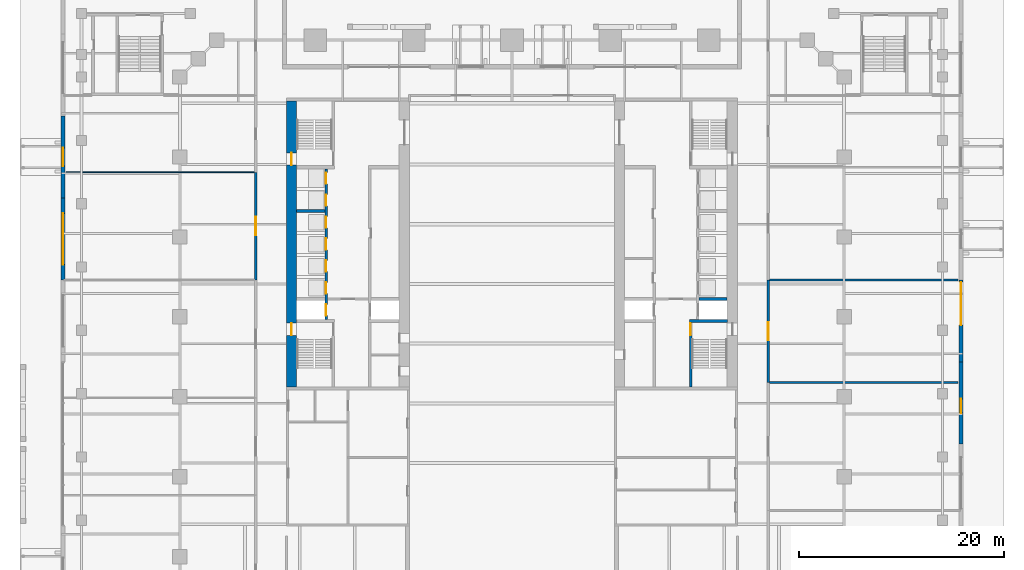
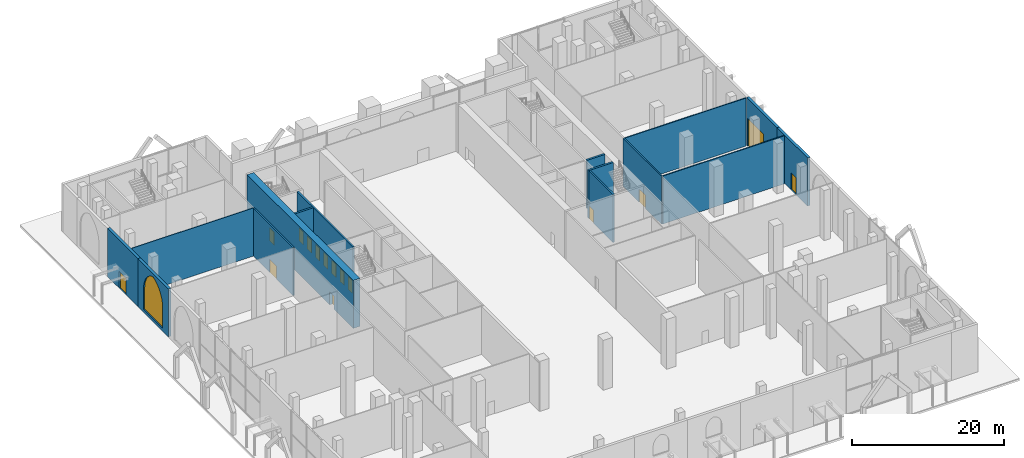
# One storey, part 31 of 38: 15 doors, 15 walls, 1 window, 16 openings.
"""IFC4 building model written with IfcOpenShell, lengths in metres."""

from ifc_helpers import new_model, si_unit, direction, frame, frame_2d, origin, place, context, subcontext, project, spatial, polyline, rectangle, outline, extrude, material, layer, layer_set, type_object, element, fill, save


model = new_model("IFC4")

# Units and contexts
model_context = context("Model", 3, precision=1e-05, world=origin(), true_north=direction((0.0, 1.0)))
body_context = subcontext(model_context, "Body", "Model", "MODEL_VIEW")
ifc_project = project(units=[si_unit("LENGTHUNIT", "METRE"), si_unit("AREAUNIT", "SQUARE_METRE"), si_unit("VOLUMEUNIT", "CUBIC_METRE"), si_unit("PLANEANGLEUNIT", "RADIAN"), si_unit("MASSUNIT", "GRAM", prefix="KILO")], contexts=[model_context])

# Site, building, storey
site_placement = place(None, origin())
site = spatial("IfcSite", under=ifc_project, at=site_placement, CompositionType="ELEMENT")
building_placement = place(site_placement, origin())
building = spatial("IfcBuilding", under=site, at=building_placement, Name="Ogive Exchange Tower", CompositionType="ELEMENT")
storey_placement = place(building_placement, origin())
storey = spatial("IfcBuildingStorey", under=building, at=storey_placement, Name="L00", CompositionType="ELEMENT", Elevation=0.0)

# Walls
ifc_material_1 = material(Name="Fire partition EI 60 150")
ifc_layer_1 = layer(ifc_material_1, 0.14990234375)
ifc_layer_set_1 = layer_set([ifc_layer_1], Name="Fire partition EI 60 150")
wall_type_1 = type_object("IfcWallType", Name="Fire partition EI 60 150", PredefinedType="PARTITIONING", material=ifc_layer_set_1)
for number, where, z_axis, x_axis, name in (
    (1, (25.10009765625, -2.0, 0.0), (0.0, 0.0, 1.0), (1.0, 0.0, 0.0), "L00-PWL-020"),
    (2, (25.10009765625, 8.0, 0.0), (0.0, 0.0, 1.0), (1.0, 0.0, 0.0), "L00-PWL-022"),
):
    element("IfcWall", number, at=place(storey_placement, frame(where, z_axis=z_axis, x_axis=x_axis)), inside=storey, type_object=wall_type_1, Name=name, PredefinedType="PARTITIONING", context=body_context, shape_type="SweptSolid", body=[
        extrude(rectangle(XDim=18.39990234375, YDim=0.14990234375, at=frame_2d((9.199951171875, 0.0))), origin(), (0.0, 0.0, 1.0), 7.699951171875),
    ])

# Wall, opening, door
ifc_material_2 = material(Name="Precast concrete C40/50", Category="concrete")
ifc_layer_2 = layer(ifc_material_2, 0.39990234375)
ifc_layer_set_2 = layer_set([ifc_layer_2], Name="Limestone-faced wall 400")
wall_type_2 = type_object("IfcWallType", Name="Limestone-faced wall 400", PredefinedType="STANDARD", material=ifc_layer_set_2)
wall_1_placement = place(storey_placement, frame((43.800048828125, -8.0, 0.0), z_axis=(0.0, 0.0, 1.0), x_axis=(0.0, 1.0, 0.0)))
wall_1 = element("IfcWall", 3, at=wall_1_placement, inside=storey, type_object=wall_type_2, Name="Podium wall E7", PredefinedType="STANDARD", context=body_context, shape_type="SweptSolid", body=[
    extrude(rectangle(XDim=8.0, YDim=0.39990234375, at=frame_2d((4.0, 0.0))), origin(), (0.0, 0.0, 1.0), 7.699951171875),
])
opening_1_placement = place(wall_1_placement, frame((3.0, 0.0, 0.0)))
opening_1 = element("IfcOpeningElement", 4, at=opening_1_placement, cuts=wall_1, Name="Opening L00-E10", PredefinedType="OPENING", context=body_context, shape_type="SweptSolid", body=[
    extrude(rectangle(XDim=1.39990234375, YDim=2.699951171875, at=frame_2d((0.699951171875, 1.35009765625))), frame((0.0, 0.2099609375, 0.0), z_axis=(0.0, -1.0, 0.0), x_axis=(1.0, 0.0, 0.0)), (0.0, 0.0, 1.0), 0.419921875),
])
ifc_material_3 = material(Name="Galvanised steel", Category="steel")
door_type_1 = type_object("IfcDoorType", Name="Service door 1400 x 2700", OperationType="DOUBLE_DOOR_SINGLE_SWING", PredefinedType="DOOR", material=ifc_material_3)
door_1_placement = place(opening_1_placement, frame((1.39990234375, 0.0, 0.0), z_axis=(0.0, 0.0, 1.0), x_axis=(-1.0, 0.0, 0.0)))
door_1 = element("IfcDoor", 5, at=door_1_placement, inside=storey, type_object=door_type_1, Name="Service door", ObjectType="SD1", OperationType="DOUBLE_DOOR_SINGLE_SWING", OverallHeight=2.699951171875, OverallWidth=1.39990234375, PredefinedType="DOOR", context=body_context, shape_type="SweptSolid", body=[
    extrude(rectangle(XDim=1.39990234375, YDim=2.699951171875, at=frame_2d((0.699951171875, 1.35009765625))), frame((0.0, 0.02490234375, 0.0), z_axis=(0.0, -1.0, 0.0), x_axis=(1.0, 0.0, 0.0)), (0.0, 0.0, 1.0), 0.050048828125),
])
fill(opening_1, door_1)

wall_2_placement = place(storey_placement, frame((43.800048828125, 0.0, 0.0), z_axis=(0.0, 0.0, 1.0), x_axis=(0.0, 1.0, 0.0)))
wall_2 = element("IfcWall", 6, at=wall_2_placement, inside=storey, type_object=wall_type_2, Name="Podium wall E8", PredefinedType="STANDARD", context=body_context, shape_type="SweptSolid", body=[
    extrude(rectangle(XDim=8.0, YDim=0.39990234375, at=frame_2d((4.0, 0.0))), origin(), (0.0, 0.0, 1.0), 7.699951171875),
])
opening_2_placement = place(wall_2_placement, frame((3.60009765625, 0.0, 0.0)))
opening_2 = element("IfcOpeningElement", 7, at=opening_2_placement, cuts=wall_2, Name="Opening L00-E11", PredefinedType="OPENING", context=body_context, shape_type="SweptSolid", body=[
    extrude(rectangle(XDim=4.199951171875, YDim=4.5, at=frame_2d((2.10009765625, 2.25))), frame((0.0, 0.2099609375, 0.0), z_axis=(0.0, -1.0, 0.0), x_axis=(1.0, 0.0, 0.0)), (0.0, 0.0, 1.0), 0.419921875),
])
door_type_2 = type_object("IfcDoorType", Name="Roller shutter loading gate 4200 x 4500", OperationType="ROLLINGUP", PredefinedType="GATE", material=ifc_material_3)
door_2_placement = place(opening_2_placement, origin())
door_2 = element("IfcDoor", 8, at=door_2_placement, inside=storey, type_object=door_type_2, Name="Loading gate", ObjectType="RS1", OperationType="ROLLINGUP", OverallHeight=4.5, OverallWidth=4.199951171875, PredefinedType="GATE", context=body_context, shape_type="SweptSolid", body=[
    extrude(rectangle(XDim=4.199951171875, YDim=4.5, at=frame_2d((2.10009765625, 2.25))), frame((0.0, 0.02490234375, 0.0), z_axis=(0.0, -1.0, 0.0), x_axis=(1.0, 0.0, 0.0)), (0.0, 0.0, 1.0), 0.050048828125),
])
fill(opening_2, door_2)

wall_3_placement = place(storey_placement, frame((-43.800048828125, 24.0, 0.0), z_axis=(0.0, 0.0, 1.0), x_axis=(0.0, -1.0, 0.0)))
wall_3 = element("IfcWall", 9, at=wall_3_placement, inside=storey, type_object=wall_type_2, Name="Podium wall W3", PredefinedType="STANDARD", context=body_context, shape_type="SweptSolid", body=[
    extrude(rectangle(XDim=8.0, YDim=0.39990234375, at=frame_2d((4.0, 0.0))), origin(), (0.0, 0.0, 1.0), 7.699951171875),
])
opening_3_placement = place(wall_3_placement, frame((3.10009765625, 0.0, 0.0)))
opening_3 = element("IfcOpeningElement", 10, at=opening_3_placement, cuts=wall_3, Name="Opening L00-E18", PredefinedType="OPENING", context=body_context, shape_type="SweptSolid", body=[
    extrude(rectangle(XDim=1.800048828125, YDim=2.699951171875, at=frame_2d((0.89990234375, 1.35009765625))), frame((0.0, 0.2099609375, 0.0), z_axis=(0.0, -1.0, 0.0), x_axis=(1.0, 0.0, 0.0)), (0.0, 0.0, 1.0), 0.419921875),
])
ifc_material_4 = material(Name="Steel and glass", Category="steel")
door_type_3 = type_object("IfcDoorType", Name="Exit door 1800 x 2700", OperationType="DOUBLE_DOOR_SINGLE_SWING", PredefinedType="DOOR", material=ifc_material_4)
door_3_placement = place(opening_3_placement, frame((1.800048828125, 0.0, 0.0), z_axis=(0.0, 0.0, 1.0), x_axis=(-1.0, 0.0, 0.0)))
door_3 = element("IfcDoor", 11, at=door_3_placement, inside=storey, type_object=door_type_3, Name="Exit door X17", ObjectType="XD1", OperationType="DOUBLE_DOOR_SINGLE_SWING", OverallHeight=2.699951171875, OverallWidth=1.800048828125, PredefinedType="DOOR", context=body_context, shape_type="SweptSolid", body=[
    extrude(rectangle(XDim=1.800048828125, YDim=2.699951171875, at=frame_2d((0.89990234375, 1.35009765625))), frame((0.0, 0.02490234375, 0.0), z_axis=(0.0, -1.0, 0.0), x_axis=(1.0, 0.0, 0.0)), (0.0, 0.0, 1.0), 0.050048828125),
])
fill(opening_3, door_3)

# Wall, opening, window
wall_4_placement = place(storey_placement, frame((-43.800048828125, 16.0, 0.0), z_axis=(0.0, 0.0, 1.0), x_axis=(0.0, -1.0, 0.0)))
wall_4 = element("IfcWall", 12, at=wall_4_placement, inside=storey, type_object=wall_type_2, Name="Podium wall W4", PredefinedType="STANDARD", context=body_context, shape_type="SweptSolid", body=[
    extrude(rectangle(XDim=8.0, YDim=0.39990234375, at=frame_2d((4.0, 0.0))), origin(), (0.0, 0.0, 1.0), 7.699951171875),
])
opening_4_placement = place(wall_4_placement, frame((1.5, 0.0, 0.5)))
opening_4 = element("IfcOpeningElement", 13, at=opening_4_placement, cuts=wall_4, Name="Opening WA500", PredefinedType="OPENING", context=body_context, shape_type="SweptSolid", body=[
    extrude(outline(polyline([(0.0, 0.0), (5.0, 0.0), (5.0, 3.349853515625), (4.955322265625, 3.907470703125), (4.822021484375, 4.450927734375), (4.603759765625, 4.966064453125), (4.30615234375, 5.43994140625), (3.936767578125, 5.860107421875), (3.5048828125, 6.2158203125), (3.02197265625, 6.498291015625), (2.5, 6.699951171875), (1.97802734375, 6.498291015625), (1.4951171875, 6.2158203125), (1.063232421875, 5.860107421875), (0.69384765625, 5.43994140625), (0.396240234375, 4.966064453125), (0.177978515625, 4.450927734375), (0.044677734375, 3.907470703125), (0.0, 3.349853515625), (0.0, 0.0)])), frame((0.0, 0.2099609375, 0.0), z_axis=(0.0, -1.0, 0.0), x_axis=(1.0, 0.0, 0.0)), (0.0, 0.0, 1.0), 0.419921875),
])
ifc_material_5 = material(Name="Clear glass in bronze frame", Category="glass")
window_type = type_object("IfcWindowType", Name="Arcade lancet 5000 x 6700", PartitioningType="DOUBLE_PANEL_VERTICAL", PredefinedType="WINDOW", material=ifc_material_5)
window_placement = place(opening_4_placement, origin())
window = element("IfcWindow", 14, at=window_placement, inside=storey, type_object=window_type, Name="Arcade lancet W4", OverallHeight=6.699951171875, OverallWidth=5.0, PartitioningType="DOUBLE_PANEL_VERTICAL", PredefinedType="WINDOW", context=body_context, shape_type="SweptSolid", body=[
    extrude(outline(polyline([(0.0, 0.0), (5.0, 0.0), (5.0, 3.349853515625), (4.955322265625, 3.907470703125), (4.822021484375, 4.450927734375), (4.603759765625, 4.966064453125), (4.30615234375, 5.43994140625), (3.936767578125, 5.860107421875), (3.5048828125, 6.2158203125), (3.02197265625, 6.498291015625), (2.5, 6.699951171875), (1.97802734375, 6.498291015625), (1.4951171875, 6.2158203125), (1.063232421875, 5.860107421875), (0.69384765625, 5.43994140625), (0.396240234375, 4.966064453125), (0.177978515625, 4.450927734375), (0.044677734375, 3.907470703125), (0.0, 3.349853515625), (0.0, 0.0)])), frame((0.0, 0.030029296875, 0.0), z_axis=(0.0, -1.0, 0.0), x_axis=(1.0, 0.0, 0.0)), (0.0, 0.0, 1.0), 0.06005859375),
])
fill(opening_4, window)

# Wall
ifc_material_6 = material(Name="Partition 100 gypsum")
ifc_layer_3 = layer(ifc_material_6, 0.10009765625)
ifc_layer_set_3 = layer_set([ifc_layer_3], Name="Partition 100 gypsum")
wall_type_3 = type_object("IfcWallType", Name="Partition 100 gypsum", PredefinedType="PARTITIONING", material=ifc_layer_set_3)
wall_5_placement = place(storey_placement, frame((-43.5, 18.5, 0.0), z_axis=(0.0, 0.0, 1.0), x_axis=(1.0, 0.0, 0.0)))
element("IfcWall", 15, at=wall_5_placement, inside=storey, type_object=wall_type_3, Name="L00-PWL-023", PredefinedType="PARTITIONING", context=body_context, shape_type="SweptSolid", body=[
    extrude(rectangle(XDim=18.39990234375, YDim=0.10009765625, at=frame_2d((9.199951171875, 0.0))), origin(), (0.0, 0.0, 1.0), 7.699951171875),
])

# Wall, openings, doors
ifc_material_7 = material(Name="Concrete C70/85", Category="concrete")
ifc_layer_4 = layer(ifc_material_7, 1.0)
ifc_layer_set_4 = layer_set([ifc_layer_4], Name="RC core wall 1000 C70/85")
wall_type_4 = type_object("IfcWallType", Name="RC core wall 1000 C70/85", PredefinedType="SHEAR", material=ifc_layer_set_4)
wall_6_placement = place(storey_placement, frame((-21.5, -2.449951171875, 0.0), z_axis=(0.0, 0.0, 1.0), x_axis=(0.0, 1.0, 0.0)))
wall_6 = element("IfcWall", 16, at=wall_6_placement, inside=storey, type_object=wall_type_4, Name="W outer wall", PredefinedType="SHEAR", context=body_context, shape_type="SweptSolid", body=[
    extrude(rectangle(XDim=27.89990234375, YDim=1.0, at=frame_2d((13.949951171875, 0.0))), origin(), (0.0, 0.0, 1.0), 7.699951171875),
])
opening_5_placement = place(wall_6_placement, frame((5.050048828125, 0.0, 0.0)))
opening_5 = element("IfcOpeningElement", 17, at=opening_5_placement, cuts=wall_6, Name="Opening L00-C13", PredefinedType="OPENING", context=body_context, shape_type="SweptSolid", body=[
    extrude(rectangle(XDim=1.199951171875, YDim=2.10009765625, at=frame_2d((0.60009765625, 1.050048828125))), frame((0.0, 0.510009765625, 0.0), z_axis=(0.0, -1.0, 0.0), x_axis=(1.0, 0.0, 0.0)), (0.0, 0.0, 1.0), 1.02001953125),
])
opening_6_placement = place(wall_6_placement, frame((21.64990234375, 0.0, 0.0)))
opening_6 = element("IfcOpeningElement", 18, at=opening_6_placement, cuts=wall_6, Name="Opening L00-C15", PredefinedType="OPENING", context=body_context, shape_type="SweptSolid", body=[
    extrude(rectangle(XDim=1.199951171875, YDim=2.10009765625, at=frame_2d((0.60009765625, 1.050048828125))), frame((0.0, 0.510009765625, 0.0), z_axis=(0.0, -1.0, 0.0), x_axis=(1.0, 0.0, 0.0)), (0.0, 0.0, 1.0), 1.02001953125),
])
ifc_material_8 = material(Name="Steel fire door", Category="steel")
door_type_4 = type_object("IfcDoorType", Name="Stair door FD90 1200 x 2100", OperationType="NOTDEFINED", PredefinedType="DOOR", material=ifc_material_8)
door_4_placement = place(opening_5_placement, frame((1.199951171875, 0.0, 0.0), z_axis=(0.0, 0.0, 1.0), x_axis=(-1.0, 0.0, 0.0)))
door_4 = element("IfcDoor", 19, at=door_4_placement, inside=storey, type_object=door_type_4, Name="Stair door", ObjectType="CD5", OperationType="SINGLE_SWING_RIGHT", OverallHeight=2.10009765625, OverallWidth=1.199951171875, PredefinedType="DOOR", context=body_context, shape_type="SweptSolid", body=[
    extrude(rectangle(XDim=1.199951171875, YDim=2.10009765625, at=frame_2d((0.60009765625, 1.050048828125))), frame((0.0, 0.02490234375, 0.0), z_axis=(0.0, -1.0, 0.0), x_axis=(1.0, 0.0, 0.0)), (0.0, 0.0, 1.0), 0.050048828125),
])
fill(opening_5, door_4)
door_5_placement = place(opening_6_placement, frame((1.199951171875, 0.0, 0.0), z_axis=(0.0, 0.0, 1.0), x_axis=(-1.0, 0.0, 0.0)))
door_5 = element("IfcDoor", 20, at=door_5_placement, inside=storey, type_object=door_type_4, Name="Stair door", ObjectType="CD5", OperationType="SINGLE_SWING_LEFT", OverallHeight=2.10009765625, OverallWidth=1.199951171875, PredefinedType="DOOR", context=body_context, shape_type="SweptSolid", body=[
    extrude(rectangle(XDim=1.199951171875, YDim=2.10009765625, at=frame_2d((0.60009765625, 1.050048828125))), frame((0.0, 0.02490234375, 0.0), z_axis=(0.0, -1.0, 0.0), x_axis=(1.0, 0.0, 0.0)), (0.0, 0.0, 1.0), 0.050048828125),
])
fill(opening_6, door_5)

ifc_layer_5 = layer(ifc_material_7, 0.25)
ifc_layer_set_5 = layer_set([ifc_layer_5], Name="RC core wall 250 C70/85")
wall_type_5 = type_object("IfcWallType", Name="RC core wall 250 C70/85", PredefinedType="SHEAR", material=ifc_layer_set_5)
wall_7_placement = place(storey_placement, frame((-18.125, 4.14990234375, 0.0), z_axis=(0.0, 0.0, 1.0), x_axis=(0.0, 1.0, 0.0)))
wall_7 = element("IfcWall", 21, at=wall_7_placement, inside=storey, type_object=wall_type_5, Name="W row A front wall", PredefinedType="SHEAR", context=body_context, shape_type="SweptSolid", body=[
    extrude(rectangle(XDim=14.7001953125, YDim=0.25, at=frame_2d((7.35009765625, 0.0))), origin(), (0.0, 0.0, 1.0), 7.699951171875),
])
opening_7_placement = place(wall_7_placement, frame((0.371337890625, 0.0, 0.0)))
opening_7 = element("IfcOpeningElement", 22, at=opening_7_placement, cuts=wall_7, Name="Opening L00-C01", PredefinedType="OPENING", context=body_context, shape_type="SweptSolid", body=[
    extrude(rectangle(XDim=1.10009765625, YDim=2.10009765625, at=frame_2d((0.550048828125, 1.050048828125))), frame((0.0, 0.135009765625, 0.0), z_axis=(0.0, -1.0, 0.0), x_axis=(1.0, 0.0, 0.0)), (0.0, 0.0, 1.0), 0.27001953125),
])
opening_8_placement = place(wall_7_placement, frame((2.514404296875, 0.0, 0.0)))
opening_8 = element("IfcOpeningElement", 23, at=opening_8_placement, cuts=wall_7, Name="Opening L00-C02", PredefinedType="OPENING", context=body_context, shape_type="SweptSolid", body=[
    extrude(rectangle(XDim=1.10009765625, YDim=2.10009765625, at=frame_2d((0.550048828125, 1.050048828125))), frame((0.0, 0.135009765625, 0.0), z_axis=(0.0, -1.0, 0.0), x_axis=(1.0, 0.0, 0.0)), (0.0, 0.0, 1.0), 0.27001953125),
])
opening_9_placement = place(wall_7_placement, frame((4.656982421875, 0.0, 0.0)))
opening_9 = element("IfcOpeningElement", 24, at=opening_9_placement, cuts=wall_7, Name="Opening L00-C03", PredefinedType="OPENING", context=body_context, shape_type="SweptSolid", body=[
    extrude(rectangle(XDim=1.10009765625, YDim=2.10009765625, at=frame_2d((0.550048828125, 1.050048828125))), frame((0.0, 0.135009765625, 0.0), z_axis=(0.0, -1.0, 0.0), x_axis=(1.0, 0.0, 0.0)), (0.0, 0.0, 1.0), 0.27001953125),
])
opening_10_placement = place(wall_7_placement, frame((6.800048828125, 0.0, 0.0)))
opening_10 = element("IfcOpeningElement", 25, at=opening_10_placement, cuts=wall_7, Name="Opening L00-C04", PredefinedType="OPENING", context=body_context, shape_type="SweptSolid", body=[
    extrude(rectangle(XDim=1.10009765625, YDim=2.10009765625, at=frame_2d((0.550048828125, 1.050048828125))), frame((0.0, 0.135009765625, 0.0), z_axis=(0.0, -1.0, 0.0), x_axis=(1.0, 0.0, 0.0)), (0.0, 0.0, 1.0), 0.27001953125),
])
opening_11_placement = place(wall_7_placement, frame((8.94287109375, 0.0, 0.0)))
opening_11 = element("IfcOpeningElement", 26, at=opening_11_placement, cuts=wall_7, Name="Opening L00-C05", PredefinedType="OPENING", context=body_context, shape_type="SweptSolid", body=[
    extrude(rectangle(XDim=1.10009765625, YDim=2.10009765625, at=frame_2d((0.550048828125, 1.050048828125))), frame((0.0, 0.135009765625, 0.0), z_axis=(0.0, -1.0, 0.0), x_axis=(1.0, 0.0, 0.0)), (0.0, 0.0, 1.0), 0.27001953125),
])
opening_12_placement = place(wall_7_placement, frame((11.085693359375, 0.0, 0.0)))
opening_12 = element("IfcOpeningElement", 27, at=opening_12_placement, cuts=wall_7, Name="Opening L00-C06", PredefinedType="OPENING", context=body_context, shape_type="SweptSolid", body=[
    extrude(rectangle(XDim=1.10009765625, YDim=2.10009765625, at=frame_2d((0.550048828125, 1.050048828125))), frame((0.0, 0.135009765625, 0.0), z_axis=(0.0, -1.0, 0.0), x_axis=(1.0, 0.0, 0.0)), (0.0, 0.0, 1.0), 0.27001953125),
])
opening_13_placement = place(wall_7_placement, frame((13.228515625, 0.0, 0.0)))
opening_13 = element("IfcOpeningElement", 28, at=opening_13_placement, cuts=wall_7, Name="Opening L00-C07", PredefinedType="OPENING", context=body_context, shape_type="SweptSolid", body=[
    extrude(rectangle(XDim=1.10009765625, YDim=2.10009765625, at=frame_2d((0.550048828125, 1.050048828125))), frame((0.0, 0.135009765625, 0.0), z_axis=(0.0, -1.0, 0.0), x_axis=(1.0, 0.0, 0.0)), (0.0, 0.0, 1.0), 0.27001953125),
])
ifc_material_9 = material(Name="Stainless steel", Category="steel")
door_type_5 = type_object("IfcDoorType", Name="Lift landing door FD90 1100 x 2100", OperationType="SLIDING_TO_LEFT", PredefinedType="DOOR", material=ifc_material_9)
door_6_placement = place(opening_7_placement, origin())
door_6 = element("IfcDoor", 29, at=door_6_placement, inside=storey, type_object=door_type_5, Name="Lift landing door FF1", ObjectType="LD", OperationType="SLIDING_TO_LEFT", OverallHeight=2.10009765625, OverallWidth=1.10009765625, PredefinedType="DOOR", context=body_context, shape_type="SweptSolid", body=[
    extrude(rectangle(XDim=1.10009765625, YDim=2.10009765625, at=frame_2d((0.550048828125, 1.050048828125))), frame((0.0, 0.02490234375, 0.0), z_axis=(0.0, -1.0, 0.0), x_axis=(1.0, 0.0, 0.0)), (0.0, 0.0, 1.0), 0.050048828125),
])
fill(opening_7, door_6)
door_7_placement = place(opening_8_placement, origin())
door_7 = element("IfcDoor", 30, at=door_7_placement, inside=storey, type_object=door_type_5, Name="Lift landing door W-L1", ObjectType="LD", OperationType="SLIDING_TO_LEFT", OverallHeight=2.10009765625, OverallWidth=1.10009765625, PredefinedType="DOOR", context=body_context, shape_type="SweptSolid", body=[
    extrude(rectangle(XDim=1.10009765625, YDim=2.10009765625, at=frame_2d((0.550048828125, 1.050048828125))), frame((0.0, 0.02490234375, 0.0), z_axis=(0.0, -1.0, 0.0), x_axis=(1.0, 0.0, 0.0)), (0.0, 0.0, 1.0), 0.050048828125),
])
fill(opening_8, door_7)
door_8_placement = place(opening_9_placement, origin())
door_8 = element("IfcDoor", 31, at=door_8_placement, inside=storey, type_object=door_type_5, Name="Lift landing door W-L2", ObjectType="LD", OperationType="SLIDING_TO_LEFT", OverallHeight=2.10009765625, OverallWidth=1.10009765625, PredefinedType="DOOR", context=body_context, shape_type="SweptSolid", body=[
    extrude(rectangle(XDim=1.10009765625, YDim=2.10009765625, at=frame_2d((0.550048828125, 1.050048828125))), frame((0.0, 0.02490234375, 0.0), z_axis=(0.0, -1.0, 0.0), x_axis=(1.0, 0.0, 0.0)), (0.0, 0.0, 1.0), 0.050048828125),
])
fill(opening_9, door_8)
door_9_placement = place(opening_10_placement, origin())
door_9 = element("IfcDoor", 32, at=door_9_placement, inside=storey, type_object=door_type_5, Name="Lift landing door W-L3", ObjectType="LD", OperationType="SLIDING_TO_LEFT", OverallHeight=2.10009765625, OverallWidth=1.10009765625, PredefinedType="DOOR", context=body_context, shape_type="SweptSolid", body=[
    extrude(rectangle(XDim=1.10009765625, YDim=2.10009765625, at=frame_2d((0.550048828125, 1.050048828125))), frame((0.0, 0.02490234375, 0.0), z_axis=(0.0, -1.0, 0.0), x_axis=(1.0, 0.0, 0.0)), (0.0, 0.0, 1.0), 0.050048828125),
])
fill(opening_10, door_9)
door_10_placement = place(opening_11_placement, origin())
door_10 = element("IfcDoor", 33, at=door_10_placement, inside=storey, type_object=door_type_5, Name="Lift landing door W-L4", ObjectType="LD", OperationType="SLIDING_TO_LEFT", OverallHeight=2.10009765625, OverallWidth=1.10009765625, PredefinedType="DOOR", context=body_context, shape_type="SweptSolid", body=[
    extrude(rectangle(XDim=1.10009765625, YDim=2.10009765625, at=frame_2d((0.550048828125, 1.050048828125))), frame((0.0, 0.02490234375, 0.0), z_axis=(0.0, -1.0, 0.0), x_axis=(1.0, 0.0, 0.0)), (0.0, 0.0, 1.0), 0.050048828125),
])
fill(opening_11, door_10)
door_11_placement = place(opening_12_placement, origin())
door_11 = element("IfcDoor", 34, at=door_11_placement, inside=storey, type_object=door_type_5, Name="Lift landing door W-SH1", ObjectType="LD", OperationType="SLIDING_TO_LEFT", OverallHeight=2.10009765625, OverallWidth=1.10009765625, PredefinedType="DOOR", context=body_context, shape_type="SweptSolid", body=[
    extrude(rectangle(XDim=1.10009765625, YDim=2.10009765625, at=frame_2d((0.550048828125, 1.050048828125))), frame((0.0, 0.02490234375, 0.0), z_axis=(0.0, -1.0, 0.0), x_axis=(1.0, 0.0, 0.0)), (0.0, 0.0, 1.0), 0.050048828125),
])
fill(opening_12, door_11)
door_12_placement = place(opening_13_placement, origin())
door_12 = element("IfcDoor", 35, at=door_12_placement, inside=storey, type_object=door_type_5, Name="Lift landing door W-SH2", ObjectType="LD", OperationType="SLIDING_TO_LEFT", OverallHeight=2.10009765625, OverallWidth=1.10009765625, PredefinedType="DOOR", context=body_context, shape_type="SweptSolid", body=[
    extrude(rectangle(XDim=1.10009765625, YDim=2.10009765625, at=frame_2d((0.550048828125, 1.050048828125))), frame((0.0, 0.02490234375, 0.0), z_axis=(0.0, -1.0, 0.0), x_axis=(1.0, 0.0, 0.0)), (0.0, 0.0, 1.0), 0.050048828125),
])
fill(opening_13, door_12)

# Wall, opening, door
wall_8_placement = place(storey_placement, frame((17.425048828125, -2.449951171875, 0.0), z_axis=(0.0, 0.0, 1.0), x_axis=(0.0, 1.0, 0.0)))
wall_8 = element("IfcWall", 36, at=wall_8_placement, inside=storey, type_object=wall_type_5, Name="E stair S front wall", PredefinedType="SHEAR", context=body_context, shape_type="SweptSolid", body=[
    extrude(rectangle(XDim=6.300048828125, YDim=0.25, at=frame_2d((3.14990234375, 0.0))), origin(), (0.0, 0.0, 1.0), 7.699951171875),
])
opening_14_placement = place(wall_8_placement, frame((5.050048828125, 0.0, 0.0)))
opening_14 = element("IfcOpeningElement", 37, at=opening_14_placement, cuts=wall_8, Name="Opening L00-C35", PredefinedType="OPENING", context=body_context, shape_type="SweptSolid", body=[
    extrude(rectangle(XDim=1.199951171875, YDim=2.10009765625, at=frame_2d((0.60009765625, 1.050048828125))), frame((0.0, 0.135009765625, 0.0), z_axis=(0.0, -1.0, 0.0), x_axis=(1.0, 0.0, 0.0)), (0.0, 0.0, 1.0), 0.27001953125),
])
door_13_placement = place(opening_14_placement, frame((1.199951171875, 0.0, 0.0), z_axis=(0.0, 0.0, 1.0), x_axis=(-1.0, 0.0, 0.0)))
door_13 = element("IfcDoor", 38, at=door_13_placement, inside=storey, type_object=door_type_4, Name="Stair door", ObjectType="CD5", OperationType="SINGLE_SWING_RIGHT", OverallHeight=2.10009765625, OverallWidth=1.199951171875, PredefinedType="DOOR", context=body_context, shape_type="SweptSolid", body=[
    extrude(rectangle(XDim=1.199951171875, YDim=2.10009765625, at=frame_2d((0.60009765625, 1.050048828125))), frame((0.0, 0.02490234375, 0.0), z_axis=(0.0, -1.0, 0.0), x_axis=(1.0, 0.0, 0.0)), (0.0, 0.0, 1.0), 0.050048828125),
])
fill(opening_14, door_13)

# Walls
ifc_layer_6 = layer(ifc_material_7, 0.300048828125)
ifc_layer_set_6 = layer_set([ifc_layer_6], Name="RC core wall 300 C70/85")
wall_type_6 = type_object("IfcWallType", Name="RC core wall 300 C70/85", PredefinedType="SHEAR", material=ifc_layer_set_6)
wall_9_placement = place(storey_placement, frame((-21.0, 14.71435546875, 0.0), z_axis=(0.0, 0.0, 1.0), x_axis=(1.0, 0.0, 0.0)))
element("IfcWall", 39, at=wall_9_placement, inside=storey, type_object=wall_type_6, Name="W row A divider 5", PredefinedType="SHEAR", context=body_context, shape_type="SweptSolid", body=[
    extrude(rectangle(XDim=2.75, YDim=0.300048828125, at=frame_2d((1.375, 0.0))), origin(), (0.0, 0.0, 1.0), 7.699951171875),
])
wall_10_placement = place(storey_placement, frame((17.300048828125, 4.0, 0.0), z_axis=(0.0, 0.0, 1.0), x_axis=(1.0, 0.0, 0.0)))
element("IfcWall", 40, at=wall_10_placement, inside=storey, type_object=wall_type_6, Name="E stair S north wall", PredefinedType="SHEAR", context=body_context, shape_type="SweptSolid", body=[
    extrude(rectangle(XDim=3.699951171875, YDim=0.300048828125, at=frame_2d((1.85009765625, 0.0))), origin(), (0.0, 0.0, 1.0), 7.699951171875),
])
wall_11_placement = place(storey_placement, frame((18.25, 6.142822265625, 0.0), z_axis=(0.0, 0.0, 1.0), x_axis=(1.0, 0.0, 0.0)))
element("IfcWall", 41, at=wall_11_placement, inside=storey, type_object=wall_type_6, Name="E row A divider 1", PredefinedType="SHEAR", context=body_context, shape_type="SweptSolid", body=[
    extrude(rectangle(XDim=2.75, YDim=0.300048828125, at=frame_2d((1.375, 0.0))), origin(), (0.0, 0.0, 1.0), 7.699951171875),
])

# Wall, opening, door
ifc_material_10 = material(Name="Shaft enclosure EI 120 200")
ifc_layer_7 = layer(ifc_material_10, 0.199951171875)
ifc_layer_set_7 = layer_set([ifc_layer_7], Name="Shaft enclosure EI 120 200")
wall_type_7 = type_object("IfcWallType", Name="Shaft enclosure EI 120 200", PredefinedType="PARTITIONING", material=ifc_layer_set_7)
wall_12_placement = place(storey_placement, frame((-25.0, 8.0, 0.0), z_axis=(0.0, 0.0, 1.0), x_axis=(0.0, 1.0, 0.0)))
wall_12 = element("IfcWall", 42, at=wall_12_placement, inside=storey, type_object=wall_type_7, Name="L00-PWL-035", PredefinedType="PARTITIONING", context=body_context, shape_type="SweptSolid", body=[
    extrude(rectangle(XDim=10.5, YDim=0.199951171875, at=frame_2d((5.25, 0.0))), origin(), (0.0, 0.0, 1.0), 7.699951171875),
])
opening_15_placement = place(wall_12_placement, frame((4.35009765625, 0.0, 0.0)))
opening_15 = element("IfcOpeningElement", 43, at=opening_15_placement, cuts=wall_12, Name="Opening L00-I10", PredefinedType="OPENING", context=body_context, shape_type="SweptSolid", body=[
    extrude(rectangle(XDim=1.800048828125, YDim=2.10009765625, at=frame_2d((0.89990234375, 1.050048828125))), frame((0.0, 0.10986328125, 0.0), z_axis=(0.0, -1.0, 0.0), x_axis=(1.0, 0.0, 0.0)), (0.0, 0.0, 1.0), 0.219970703125),
])
ifc_material_11 = material(Name="Stair door FD 90 1800 x 2100")
door_type_6 = type_object("IfcDoorType", Name="Stair door FD 90 1800 x 2100", OperationType="DOUBLE_DOOR_SINGLE_SWING", PredefinedType="DOOR", material=ifc_material_11)
door_14_placement = place(opening_15_placement, origin())
door_14 = element("IfcDoor", 44, at=door_14_placement, inside=storey, type_object=door_type_6, Name="L00-IDR-010", ObjectType="DT8", OperationType="SINGLE_SWING_RIGHT", OverallHeight=2.10009765625, OverallWidth=1.800048828125, PredefinedType="DOOR", context=body_context, shape_type="SweptSolid", body=[
    extrude(rectangle(XDim=1.800048828125, YDim=2.10009765625, at=frame_2d((0.89990234375, 1.050048828125))), frame((0.0, 0.02490234375, 0.0), z_axis=(0.0, -1.0, 0.0), x_axis=(1.0, 0.0, 0.0)), (0.0, 0.0, 1.0), 0.050048828125),
])
fill(opening_15, door_14)

wall_13_placement = place(storey_placement, frame((25.0, -2.0, 0.0), z_axis=(0.0, 0.0, 1.0), x_axis=(0.0, 1.0, 0.0)))
wall_13 = element("IfcWall", 45, at=wall_13_placement, inside=storey, type_object=wall_type_7, Name="L00-PWL-044", PredefinedType="PARTITIONING", context=body_context, shape_type="SweptSolid", body=[
    extrude(rectangle(XDim=10.0, YDim=0.199951171875, at=frame_2d((5.0, 0.0))), origin(), (0.0, 0.0, 1.0), 7.699951171875),
])
opening_16_placement = place(wall_13_placement, frame((4.10009765625, 0.0, 0.0)))
opening_16 = element("IfcOpeningElement", 46, at=opening_16_placement, cuts=wall_13, Name="Opening L00-I14", PredefinedType="OPENING", context=body_context, shape_type="SweptSolid", body=[
    extrude(rectangle(XDim=1.800048828125, YDim=2.10009765625, at=frame_2d((0.89990234375, 1.050048828125))), frame((0.0, 0.10986328125, 0.0), z_axis=(0.0, -1.0, 0.0), x_axis=(1.0, 0.0, 0.0)), (0.0, 0.0, 1.0), 0.219970703125),
])
door_15_placement = place(opening_16_placement, frame((1.800048828125, 0.0, 0.0), z_axis=(0.0, 0.0, 1.0), x_axis=(-1.0, 0.0, 0.0)))
door_15 = element("IfcDoor", 47, at=door_15_placement, inside=storey, type_object=door_type_6, Name="L00-IDR-014", ObjectType="DT8", OperationType="SINGLE_SWING_RIGHT", OverallHeight=2.10009765625, OverallWidth=1.800048828125, PredefinedType="DOOR", context=body_context, shape_type="SweptSolid", body=[
    extrude(rectangle(XDim=1.800048828125, YDim=2.10009765625, at=frame_2d((0.89990234375, 1.050048828125))), frame((0.0, 0.02490234375, 0.0), z_axis=(0.0, -1.0, 0.0), x_axis=(1.0, 0.0, 0.0)), (0.0, 0.0, 1.0), 0.050048828125),
])
fill(opening_16, door_15)

save(model, "model.ifc")
